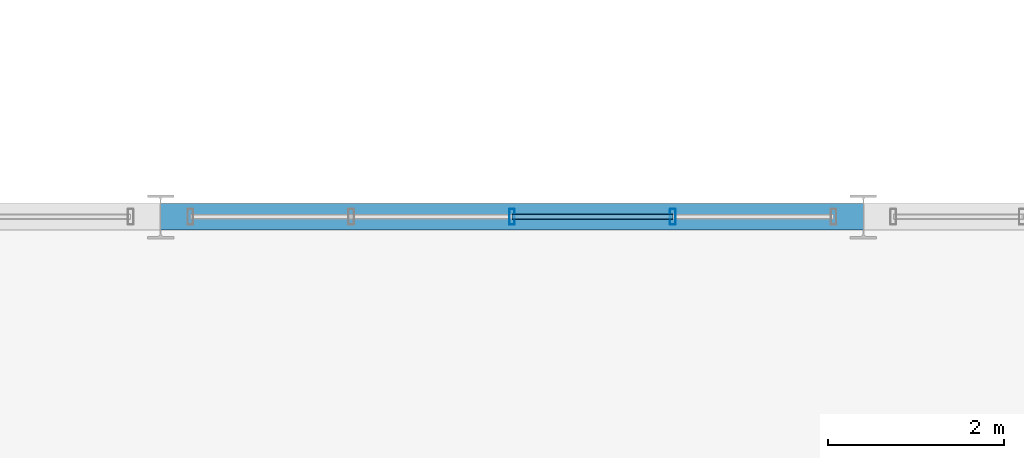
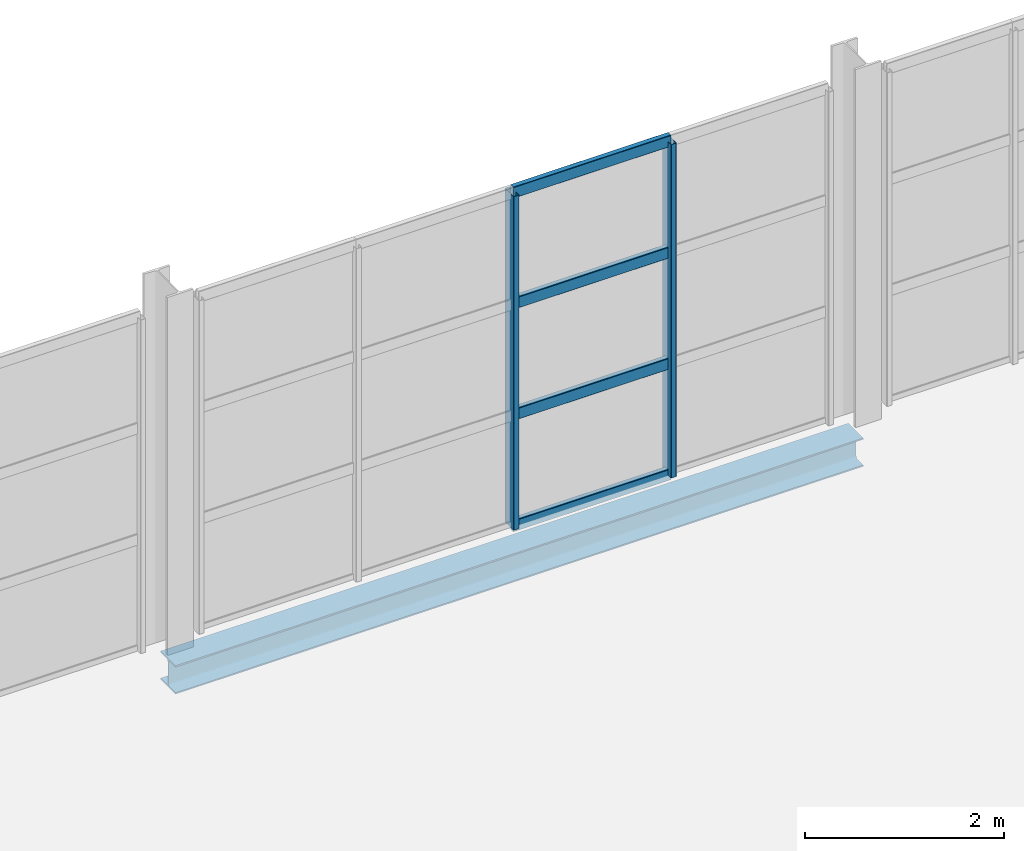
# One storey, part 112 of 153: 6 members, 1 beam, 1 element without a shape of its own.
"""IFC4 building model written with IfcOpenShell, lengths in metres."""

from ifc_helpers import new_model, si_unit, derived_unit, direction, frame, origin, origin_2d, place, context, subcontext, project, spatial, hollow_rectangle, i_section, extrude, material, material_profile, profile_set, type_object, element, aggregate, save


model = new_model("IFC4")

# Units and contexts
model_context = context("Model", 3, precision=1e-05, world=origin(), true_north=direction((0.0, 1.0)))
body_context = subcontext(model_context, "Body", "Model", "MODEL_VIEW")
ifc_project = project(units=[si_unit("LENGTHUNIT", "METRE"), si_unit("AREAUNIT", "SQUARE_METRE"), si_unit("VOLUMEUNIT", "CUBIC_METRE"), si_unit("PLANEANGLEUNIT", "RADIAN"), si_unit("MASSUNIT", "GRAM", prefix="KILO"), derived_unit("THERMALTRANSMITTANCEUNIT", [(si_unit("POWERUNIT", "WATT"), 1), (si_unit("LENGTHUNIT", "METRE"), -2), (si_unit("THERMODYNAMICTEMPERATUREUNIT", "KELVIN"), -1)])], contexts=[model_context])

# Site, building, storey
site_placement = place(None, origin())
site = spatial("IfcSite", under=ifc_project, at=site_placement, CompositionType="ELEMENT")
building_placement = place(site_placement, origin())
building = spatial("IfcBuilding", under=site, at=building_placement, Name="Keldorne Ridge Multi-Sports Centre", CompositionType="ELEMENT")
storey_placement = place(building_placement, frame((0.0, 0.0, 9.60009765625)))
storey = spatial("IfcBuildingStorey", under=building, at=storey_placement, Name="L02", CompositionType="ELEMENT", Elevation=9.60009765625)

# Beam
ifc_material_1 = material(Name="Steel S355", Category="steel")
ifc_material_profile_1 = material_profile(ifc_material_1, i_section(OverallWidth=0.300048828125, OverallDepth=0.35009765625, WebThickness=0.010009765625, FlangeThickness=0.017578125, FilletRadius=0.027099609375, at=origin_2d()), Name="HEA 360")
ifc_profile_set_1 = profile_set([ifc_material_profile_1], Name="Steel S355")
beam_type = type_object("IfcBeamType", Name="BM-SP-03", PredefinedType="SPANDREL", material=ifc_profile_set_1)
beam_placement = place(storey_placement, frame((144.0, 54.0, -0.4150390625), z_axis=(1.0, 0.0, 0.0), x_axis=(0.0, 1.0, 0.0)))
element("IfcBeam", 1, at=beam_placement, inside=storey, type_object=beam_type, Name="L02 Stacked Courts beam 6.13", PredefinedType="SPANDREL", context=body_context, shape_type="SweptSolid", body=[
    extrude(i_section(OverallWidth=0.300048828125, OverallDepth=0.35009765625, WebThickness=0.010009765625, FlangeThickness=0.017578125, FilletRadius=0.027099609375, at=origin_2d()), origin(), (0.0, 0.0, 1.0), 8.0),
])

# Curtain wall, members
ifc_material_2 = material(Name="Anodized aluminium", Category="aluminium")
curtain_wall_type = type_object("IfcCurtainWallType", Name="CW-CW-03", PredefinedType="NOTDEFINED", material=ifc_material_2)
curtain_wall_placement = place(storey_placement, origin())
curtain_wall = element("IfcCurtainWall", 2, at=curtain_wall_placement, inside=storey, type_object=curtain_wall_type, Name="Upper Courts north glazing 123", PredefinedType="NOTDEFINED")
ifc_material_profile_2 = material_profile(ifc_material_2, hollow_rectangle(XDim=0.06494140625, YDim=0.179931640625, WallThickness=0.00439453125, InnerFilletRadius=0.00439453125, OuterFilletRadius=0.009033203125, at=origin_2d()), Name="ALU MULLION 180x65x4.5")
ifc_profile_set_2 = profile_set([ifc_material_profile_2], Name="Anodized aluminium")
member_type_1 = type_object("IfcMemberType", Name="MEM-ML-01", PredefinedType="MULLION", material=ifc_profile_set_2)
member_1_placement = place(storey_placement, frame((149.830078125, 54.0, 0.0), z_axis=(0.0, 0.0, 1.0), x_axis=(1.0, 0.0, 0.0)))
member_1 = element("IfcMember", 3, at=member_1_placement, type_object=member_type_1, Name="CW-123 vertical mullion 2", PredefinedType="MULLION", context=body_context, shape_type="SweptSolid", body=[
    extrude(hollow_rectangle(XDim=0.06494140625, YDim=0.179931640625, WallThickness=0.00439453125, InnerFilletRadius=0.00439453125, OuterFilletRadius=0.009033203125, at=origin_2d()), origin(), (0.0, 0.0, 1.0), 4.099853515625),
])
member_2_placement = place(storey_placement, frame((148.0, 54.0, 0.0), z_axis=(0.0, 0.0, 1.0), x_axis=(1.0, 0.0, 0.0)))
member_2 = element("IfcMember", 4, at=member_2_placement, type_object=member_type_1, Name="CW-123 vertical mullion 3", PredefinedType="MULLION", context=body_context, shape_type="SweptSolid", body=[
    extrude(hollow_rectangle(XDim=0.06494140625, YDim=0.179931640625, WallThickness=0.00439453125, InnerFilletRadius=0.00439453125, OuterFilletRadius=0.009033203125, at=origin_2d()), origin(), (0.0, 0.0, 1.0), 4.099853515625),
])
ifc_material_profile_3 = material_profile(ifc_material_2, hollow_rectangle(XDim=0.06494140625, YDim=0.139892578125, WallThickness=0.00439453125, InnerFilletRadius=0.00439453125, OuterFilletRadius=0.009033203125, at=origin_2d()), Name="ALU TRANSOM 140x65x4.5")
ifc_profile_set_3 = profile_set([ifc_material_profile_3], Name="Anodized aluminium")
member_type_2 = type_object("IfcMemberType", Name="MEM-TR-01", PredefinedType="USERDEFINED", material=ifc_profile_set_3)
member_3_placement = place(storey_placement, frame((149.830078125, 54.0, 0.0), z_axis=(-1.0, 0.0, 0.0), x_axis=(0.0, -1.0, 0.0)))
member_3 = element("IfcMember", 5, at=member_3_placement, type_object=member_type_2, Name="CW-123 transom 2.1", ObjectType="TRANSOM", PredefinedType="USERDEFINED", context=body_context, shape_type="SweptSolid", body=[
    extrude(hollow_rectangle(XDim=0.06494140625, YDim=0.139892578125, WallThickness=0.00439453125, InnerFilletRadius=0.00439453125, OuterFilletRadius=0.009033203125, at=origin_2d()), origin(), (0.0, 0.0, 1.0), 1.830078125),
])
member_4_placement = place(storey_placement, frame((149.830078125, 54.0, 1.36669921875), z_axis=(-1.0, 0.0, 0.0), x_axis=(0.0, -1.0, 0.0)))
member_4 = element("IfcMember", 6, at=member_4_placement, type_object=member_type_2, Name="CW-123 transom 2.2", ObjectType="TRANSOM", PredefinedType="USERDEFINED", context=body_context, shape_type="SweptSolid", body=[
    extrude(hollow_rectangle(XDim=0.06494140625, YDim=0.139892578125, WallThickness=0.00439453125, InnerFilletRadius=0.00439453125, OuterFilletRadius=0.009033203125, at=origin_2d()), origin(), (0.0, 0.0, 1.0), 1.830078125),
])
member_5_placement = place(storey_placement, frame((149.830078125, 54.0, 2.733154296875), z_axis=(-1.0, 0.0, 0.0), x_axis=(0.0, -1.0, 0.0)))
member_5 = element("IfcMember", 7, at=member_5_placement, type_object=member_type_2, Name="CW-123 transom 2.3", ObjectType="TRANSOM", PredefinedType="USERDEFINED", context=body_context, shape_type="SweptSolid", body=[
    extrude(hollow_rectangle(XDim=0.06494140625, YDim=0.139892578125, WallThickness=0.00439453125, InnerFilletRadius=0.00439453125, OuterFilletRadius=0.009033203125, at=origin_2d()), origin(), (0.0, 0.0, 1.0), 1.830078125),
])
member_6_placement = place(storey_placement, frame((149.830078125, 54.0, 4.099853515625), z_axis=(-1.0, 0.0, 0.0), x_axis=(0.0, -1.0, 0.0)))
member_6 = element("IfcMember", 8, at=member_6_placement, type_object=member_type_2, Name="CW-123 transom 2.4", ObjectType="TRANSOM", PredefinedType="USERDEFINED", context=body_context, shape_type="SweptSolid", body=[
    extrude(hollow_rectangle(XDim=0.06494140625, YDim=0.139892578125, WallThickness=0.00439453125, InnerFilletRadius=0.00439453125, OuterFilletRadius=0.009033203125, at=origin_2d()), origin(), (0.0, 0.0, 1.0), 1.830078125),
])
aggregate(curtain_wall, [member_1, member_2, member_3, member_4, member_5, member_6])

save(model, "model.ifc")
